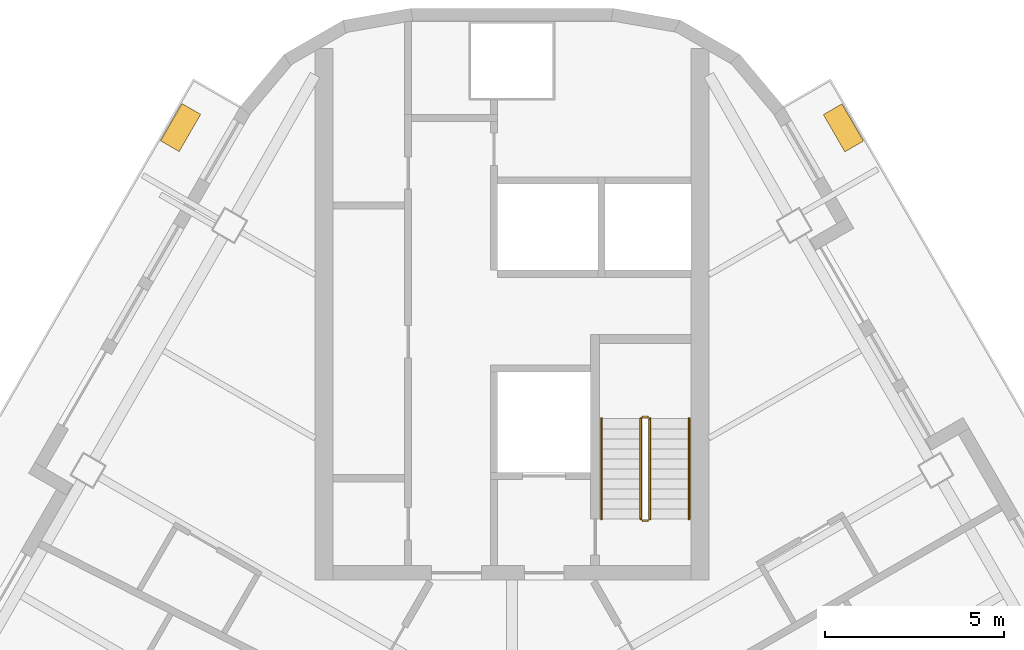
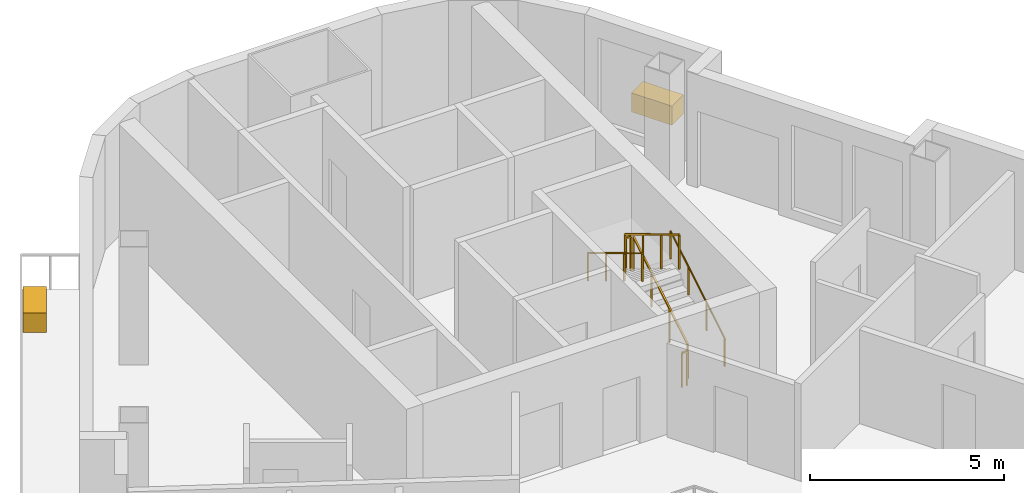
# One storey, part 13 of 13: 6 railings, 2 coverings.
"""IFC4 building model written with IfcOpenShell, lengths in metres."""

from ifc_helpers import new_model, si_unit, direction, frame, origin, origin_2d, place, context, subcontext, project, spatial, rectangle, circle, extrude, material, type_object, element, save


model = new_model("IFC4")

# Units and contexts
model_context = context("Model", 3, precision=1e-05, world=origin(), true_north=direction((0.0, 1.0)))
body_context = subcontext(model_context, "Body", "Model", "MODEL_VIEW")
ifc_project = project(units=[si_unit("LENGTHUNIT", "METRE"), si_unit("AREAUNIT", "SQUARE_METRE"), si_unit("VOLUMEUNIT", "CUBIC_METRE"), si_unit("PLANEANGLEUNIT", "RADIAN"), si_unit("MASSUNIT", "GRAM", prefix="KILO")], contexts=[model_context])

# Site, building, storey
site_placement = place(None, origin())
site = spatial("IfcSite", under=ifc_project, at=site_placement, CompositionType="ELEMENT")
building_placement = place(site_placement, origin())
building = spatial("IfcBuilding", under=site, at=building_placement, Name="Apuvela Tower Hotel", CompositionType="ELEMENT")
storey_placement = place(building_placement, frame((0.0, 0.0, 194.699951171875)))
storey = spatial("IfcBuildingStorey", under=building, at=storey_placement, Name="L47", CompositionType="ELEMENT", Elevation=194.699951171875)

# Railings
ifc_material_1 = material(Name="Steel S275 balustrade", Category="steel")
railing_type_1 = type_object("IfcRailingType", Name="COR-GUARD-1100", PredefinedType="GUARDRAIL", material=ifc_material_1)
railing_1_placement = place(storey_placement, frame((3.85009765625, 14.60009765625, 0.168212890625)))
element("IfcRailing", 1, at=railing_1_placement, inside=storey, type_object=railing_type_1, Name="L47 ST1 stair guard 1", PredefinedType="GUARDRAIL", context=body_context, shape_type="SweptSolid", body=[
    extrude(rectangle(XDim=0.048095703125, YDim=0.048095703125, at=origin_2d()), frame((0.0, 0.0, 1.076171875), z_axis=(0.0, 0.857222391501, 0.514946377315), x_axis=(-1.0, 0.0, 0.0)), (0.0, 0.0, 1.0), 3.26611328125),
    extrude(rectangle(XDim=0.0419921875, YDim=0.0419921875, at=origin_2d()), origin(), (0.0, 0.0, 1.0), 1.052001953125),
    extrude(rectangle(XDim=0.0419921875, YDim=0.0419921875, at=origin_2d()), frame((0.0, 0.933349609375, 0.560546875)), (0.0, 0.0, 1.0), 1.052001953125),
    extrude(rectangle(XDim=0.0419921875, YDim=0.0419921875, at=origin_2d()), frame((0.0, 1.866455078125, 1.121337890625)), (0.0, 0.0, 1.0), 1.052001953125),
    extrude(rectangle(XDim=0.0419921875, YDim=0.0419921875, at=origin_2d()), frame((0.0, 2.7998046875, 1.681884765625)), (0.0, 0.0, 1.0), 1.052001953125),
])
railing_2_placement = place(storey_placement, frame((3.800048828125, 17.449951171875, 1.85009765625)))
element("IfcRailing", 2, at=railing_2_placement, inside=storey, type_object=railing_type_1, Name="L47 ST1 stair guard 2", PredefinedType="GUARDRAIL", context=body_context, shape_type="SweptSolid", body=[
    extrude(rectangle(XDim=0.048095703125, YDim=0.048095703125, at=origin_2d()), frame((0.0, 0.0, 1.076171875), z_axis=(-1.0, 0.0, 0.0), x_axis=(0.0, -1.0, 0.0)), (0.0, 0.0, 1.0), 0.150146484375),
    extrude(rectangle(XDim=0.0419921875, YDim=0.0419921875, at=origin_2d()), origin(), (0.0, 0.0, 1.0), 1.052001953125),
    extrude(rectangle(XDim=0.0419921875, YDim=0.0419921875, at=origin_2d()), frame((-0.150146484375, 0.0, 0.0)), (0.0, 0.0, 1.0), 1.052001953125),
])
railing_3_placement = place(storey_placement, frame((3.60009765625, 17.39990234375, 2.018310546875)))
element("IfcRailing", 3, at=railing_3_placement, inside=storey, type_object=railing_type_1, Name="L47 ST1 stair guard 3", PredefinedType="GUARDRAIL", context=body_context, shape_type="SweptSolid", body=[
    extrude(rectangle(XDim=0.048095703125, YDim=0.048095703125, at=origin_2d()), frame((0.0, 0.0, 1.076171875), z_axis=(0.0, -0.857255387014, 0.514891446264), x_axis=(1.0, 0.0, 0.0)), (0.0, 0.0, 1.0), 3.26611328125),
    extrude(rectangle(XDim=0.0419921875, YDim=0.0419921875, at=origin_2d()), origin(), (0.0, 0.0, 1.0), 1.052001953125),
    extrude(rectangle(XDim=0.0419921875, YDim=0.0419921875, at=origin_2d()), frame((0.0, -0.933349609375, 0.560546875)), (0.0, 0.0, 1.0), 1.052001953125),
    extrude(rectangle(XDim=0.0419921875, YDim=0.0419921875, at=origin_2d()), frame((0.0, -1.866455078125, 1.12109375)), (0.0, 0.0, 1.0), 1.052001953125),
    extrude(rectangle(XDim=0.0419921875, YDim=0.0419921875, at=origin_2d()), frame((0.0, -2.7998046875, 1.681640625)), (0.0, 0.0, 1.0), 1.052001953125),
])
railing_4_placement = place(storey_placement, frame((3.800048828125, 14.550048828125, 0.0)))
element("IfcRailing", 4, at=railing_4_placement, inside=storey, type_object=railing_type_1, Name="L47 ST1 stair guard 4", PredefinedType="GUARDRAIL", context=body_context, shape_type="SweptSolid", body=[
    extrude(rectangle(XDim=0.048095703125, YDim=0.048095703125, at=origin_2d()), frame((0.0, 0.0, 1.076171875), z_axis=(-1.0, 0.0, 0.0), x_axis=(0.0, -1.0, 0.0)), (0.0, 0.0, 1.0), 0.150146484375),
    extrude(rectangle(XDim=0.0419921875, YDim=0.0419921875, at=origin_2d()), origin(), (0.0, 0.0, 1.0), 1.052001953125),
    extrude(rectangle(XDim=0.0419921875, YDim=0.0419921875, at=origin_2d()), frame((-0.150146484375, 0.0, 0.0)), (0.0, 0.0, 1.0), 1.052001953125),
])
ifc_material_2 = material(Name="Stainless steel 316 handrail", Category="steel")
railing_type_2 = type_object("IfcRailingType", Name="COR-HANDRAIL-900", PredefinedType="HANDRAIL", material=ifc_material_2)
railing_5_placement = place(storey_placement, frame((4.949951171875, 14.60009765625, 0.168212890625)))
element("IfcRailing", 5, at=railing_5_placement, inside=storey, type_object=railing_type_2, Name="L47 ST1 stair handrail 1", PredefinedType="HANDRAIL", context=body_context, shape_type="SweptSolid", body=[
    extrude(circle(Radius=0.02392578125, at=origin_2d()), frame((0.0, 0.0, 0.8759765625), z_axis=(0.0, 0.857222391501, 0.514946377315), x_axis=(-1.0, 0.0, 0.0)), (0.0, 0.0, 1.0), 3.26611328125),
    extrude(rectangle(XDim=0.0419921875, YDim=0.0419921875, at=origin_2d()), origin(), (0.0, 0.0, 1.0), 0.851806640625),
    extrude(rectangle(XDim=0.0419921875, YDim=0.0419921875, at=origin_2d()), frame((0.0, 0.933349609375, 0.560546875)), (0.0, 0.0, 1.0), 0.851806640625),
    extrude(rectangle(XDim=0.0419921875, YDim=0.0419921875, at=origin_2d()), frame((0.0, 1.866455078125, 1.121337890625)), (0.0, 0.0, 1.0), 0.851806640625),
    extrude(rectangle(XDim=0.0419921875, YDim=0.0419921875, at=origin_2d()), frame((0.0, 2.7998046875, 1.681884765625)), (0.0, 0.0, 1.0), 0.851806640625),
])
railing_6_placement = place(storey_placement, frame((2.5, 17.39990234375, 2.018310546875)))
element("IfcRailing", 6, at=railing_6_placement, inside=storey, type_object=railing_type_2, Name="L47 ST1 stair handrail 2", PredefinedType="HANDRAIL", context=body_context, shape_type="SweptSolid", body=[
    extrude(circle(Radius=0.02392578125, at=origin_2d()), frame((0.0, 0.0, 0.8759765625), z_axis=(0.0, -0.857255387014, 0.514891446264), x_axis=(1.0, 0.0, 0.0)), (0.0, 0.0, 1.0), 3.26611328125),
    extrude(rectangle(XDim=0.0419921875, YDim=0.0419921875, at=origin_2d()), origin(), (0.0, 0.0, 1.0), 0.851806640625),
    extrude(rectangle(XDim=0.0419921875, YDim=0.0419921875, at=origin_2d()), frame((0.0, -0.933349609375, 0.560546875)), (0.0, 0.0, 1.0), 0.851806640625),
    extrude(rectangle(XDim=0.0419921875, YDim=0.0419921875, at=origin_2d()), frame((0.0, -1.866455078125, 1.12109375)), (0.0, 0.0, 1.0), 0.851806640625),
    extrude(rectangle(XDim=0.0419921875, YDim=0.0419921875, at=origin_2d()), frame((0.0, -2.7998046875, 1.681640625)), (0.0, 0.0, 1.0), 0.851806640625),
])

# Coverings
ifc_material_3 = material(Name="Planting substrate and soil, planted")
covering_type = type_object("IfcCoveringType", Name="ENV-PLANTER-1200x600", PredefinedType="USERDEFINED", material=ifc_material_3)
for number, where, z_axis, x_axis, name in (
    (7, (9.2578125, 25.52490234375, 0.0), (0.0, 0.0, 1.0), (-0.5, 0.866025403784, 0.0), "Planter NE3"),
    (8, (-9.253662109375, 25.5322265625, 0.0), (0.0, 0.0, 1.0), (-0.5, -0.866025403784, 0.0), "Planter NW4"),
):
    element("IfcCovering", number, at=place(storey_placement, frame(where, z_axis=z_axis, x_axis=x_axis)), inside=storey, type_object=covering_type, Name=name, ObjectType="PLANTER", PredefinedType="USERDEFINED", context=body_context, shape_type="SweptSolid", body=[
        extrude(rectangle(XDim=1.199951171875, YDim=0.60009765625, at=origin_2d()), origin(), (0.0, 0.0, 1.0), 0.60009765625),
    ])

save(model, "model.ifc")
